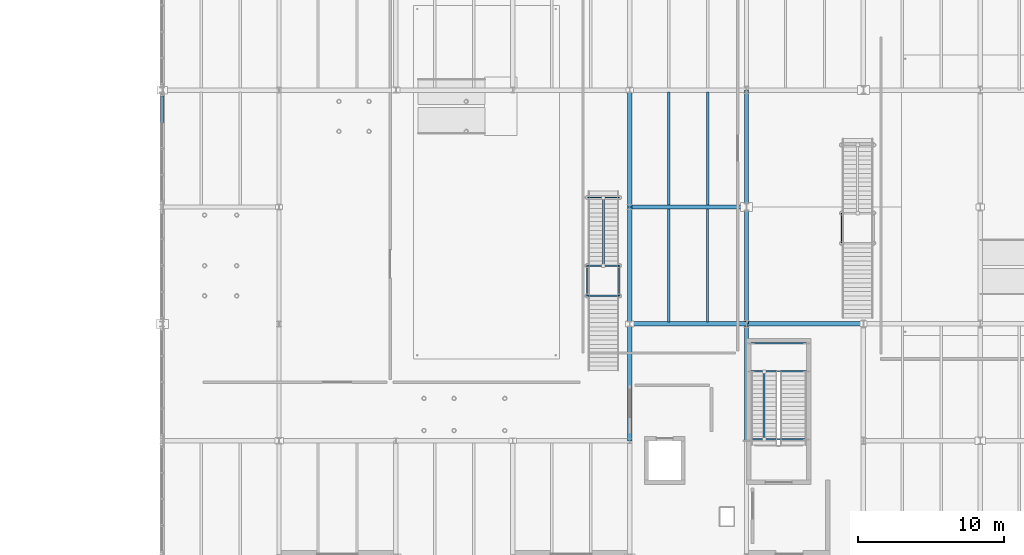
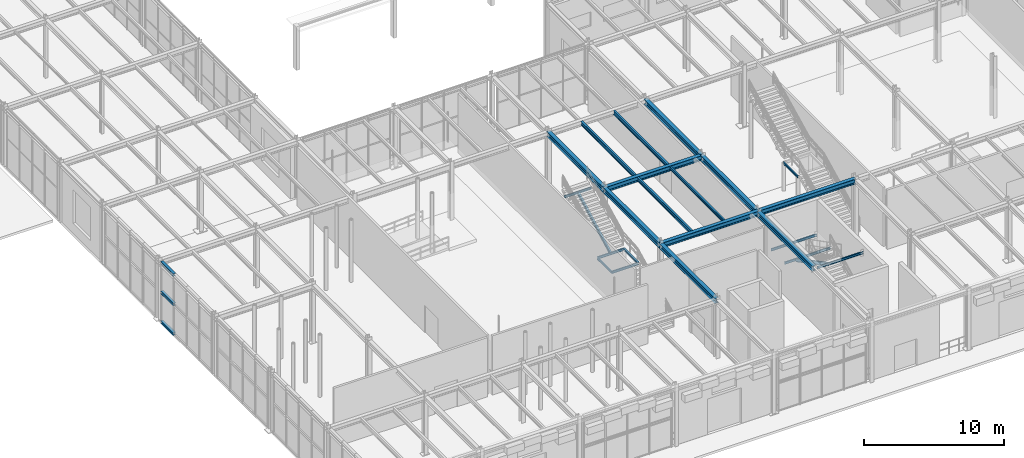
# One storey, part 30 of 129: 22 beams, 5 members, 1 element without a shape of its own.
"""IFC4 building model written with IfcOpenShell, lengths in metres."""

from ifc_helpers import new_model, si_unit, direction, frame, origin, origin_2d, place, context, subcontext, project, spatial, i_section, extrude, material, material_profile, profile_set, type_object, element, aggregate, save


model = new_model("IFC4")

# Units and contexts
model_context = context("Model", 3, precision=1e-05, world=origin(), true_north=direction((0.0, 1.0)))
body_context = subcontext(model_context, "Body", "Model", "MODEL_VIEW")
ifc_project = project(units=[si_unit("LENGTHUNIT", "METRE"), si_unit("AREAUNIT", "SQUARE_METRE"), si_unit("VOLUMEUNIT", "CUBIC_METRE"), si_unit("PLANEANGLEUNIT", "RADIAN"), si_unit("MASSUNIT", "GRAM", prefix="KILO")], contexts=[model_context])

# Site, building, storey
site_placement = place(None, origin())
site = spatial("IfcSite", under=ifc_project, at=site_placement, CompositionType="ELEMENT")
building_placement = place(site_placement, origin())
building = spatial("IfcBuilding", under=site, at=building_placement, Name="Sundkrona Museum", CompositionType="ELEMENT")
storey_placement = place(building_placement, origin())
storey = spatial("IfcBuildingStorey", under=building, at=storey_placement, Name="L00", CompositionType="ELEMENT", Elevation=0.0)

# Beams
ifc_material_1 = material(Name="Steel S355J2", Category="steel")
ifc_material_profile_1 = material_profile(ifc_material_1, i_section(OverallWidth=0.300048828125, OverallDepth=0.43994140625, WebThickness=0.011474609375, FlangeThickness=0.02099609375, FilletRadius=0.027099609375, at=origin_2d()), Name="HEA 450")
ifc_profile_set_1 = profile_set([ifc_material_profile_1], Name="Steel S355J2")
beam_type_1 = type_object("IfcBeamType", Name="B-HEA450", PredefinedType="BEAM", material=ifc_profile_set_1)
for number, where, z_axis, x_axis, name in (
    (1, (112.0, 16.0, 4.919921875), (1.0, 0.0, 0.0), (0.0, 1.0, 0.0), "L00 Girder X-0443"),
    (2, (120.0, 16.0, 4.919921875), (1.0, 0.0, 0.0), (0.0, 1.0, 0.0), "L00 Girder X-0444"),
    (3, (112.0, 24.0, 4.919921875), (1.0, 0.0, 0.0), (0.0, 1.0, 0.0), "L00 Girder X-0451"),
    (4, (112.0, 8.0, 4.919921875), (0.0, 1.0, 0.0), (-1.0, 0.0, 0.0), "L00 Girder Y-0717"),
    (5, (112.0, 16.0, 4.919921875), (0.0, 1.0, 0.0), (-1.0, 0.0, 0.0), "L00 Girder Y-0718"),
    (6, (112.0, 24.0, 4.919921875), (0.0, 1.0, 0.0), (-1.0, 0.0, 0.0), "L00 Girder Y-0719"),
    (7, (120.0, 8.0, 4.919921875), (0.0, 1.0, 0.0), (-1.0, 0.0, 0.0), "L00 Girder Y-0727"),
    (8, (120.0, 16.0, 4.919921875), (0.0, 1.0, 0.0), (-1.0, 0.0, 0.0), "L00 Girder Y-0728"),
    (9, (120.0, 24.0, 4.919921875), (0.0, 1.0, 0.0), (-1.0, 0.0, 0.0), "L00 Girder Y-0729"),
):
    element("IfcBeam", number, at=place(storey_placement, frame(where, z_axis=z_axis, x_axis=x_axis)), inside=storey, type_object=beam_type_1, Name=name, PredefinedType="BEAM", context=body_context, shape_type="SweptSolid", body=[
        extrude(i_section(OverallWidth=0.300048828125, OverallDepth=0.43994140625, WebThickness=0.011474609375, FlangeThickness=0.02099609375, FilletRadius=0.027099609375, at=origin_2d()), origin(), (0.0, 0.0, 1.0), 8.0),
    ])

# Members
ifc_material_profile_2 = material_profile(ifc_material_1, i_section(OverallWidth=0.135009765625, OverallDepth=0.27001953125, WebThickness=0.006591796875, FlangeThickness=0.01025390625, FilletRadius=0.014892578125, at=origin_2d()), Name="IPE 270")
ifc_profile_set_2 = profile_set([ifc_material_profile_2], Name="Steel S355J2")
member_type_1 = type_object("IfcMemberType", Name="BR-IPE270", PredefinedType="BRACE", material=ifc_profile_set_2)
member_1_placement = place(storey_placement, frame((121.199951171875, 12.715087890625, 2.3798828125), z_axis=(0.0, -0.884492571905, 0.466554273632), x_axis=(1.0, 0.0, 0.0)))
element("IfcMember", 10, at=member_1_placement, inside=storey, type_object=member_type_1, Name="SRK-1 L00 ST-2 Flight 2 Inclined Carriage Raker", PredefinedType="BRACE", context=body_context, shape_type="SweptSolid", body=[
    extrude(i_section(OverallWidth=0.135009765625, OverallDepth=0.27001953125, WebThickness=0.006591796875, FlangeThickness=0.01025390625, FilletRadius=0.014892578125, at=origin_2d()), origin(), (0.0, 0.0, 1.0), 5.2177734375),
])
member_2_placement = place(storey_placement, frame((110.199951171875, 19.97998046875, 2.3798828125), z_axis=(0.0, 0.883168320573, 0.469056198698), x_axis=(-1.0, 0.0, 0.0)))
element("IfcMember", 11, at=member_2_placement, inside=storey, type_object=member_type_1, Name="SRK-1 Feature Stair FS-1 Flight 2 Inclined Carriage Raker", PredefinedType="BRACE", context=body_context, shape_type="SweptSolid", body=[
    extrude(i_section(OverallWidth=0.135009765625, OverallDepth=0.27001953125, WebThickness=0.006591796875, FlangeThickness=0.01025390625, FilletRadius=0.014892578125, at=origin_2d()), origin(), (0.0, 0.0, 1.0), 5.28759765625),
])

# Beams
ifc_material_profile_3 = material_profile(ifc_material_1, i_section(OverallWidth=0.10009765625, OverallDepth=0.199951171875, WebThickness=0.005615234375, FlangeThickness=0.008544921875, FilletRadius=0.011962890625, at=origin_2d()), Name="IPE 200")
ifc_profile_set_3 = profile_set([ifc_material_profile_3], Name="Steel S355J2")
beam_type_2 = type_object("IfcBeamType", Name="J-IPE200", PredefinedType="JOIST", material=ifc_profile_set_3)
for number, where, z_axis, x_axis, name in (
    (12, (120.31005859375, 12.754638671875, 2.3798828125), (1.0, 0.0, 0.0), (0.0, 1.0, 0.0), "L00 ST-2 Mid-Landing Trimmer Beam 1A"),
    (13, (120.31005859375, 14.660400390625, 2.3798828125), (1.0, 0.0, 0.0), (0.0, 1.0, 0.0), "L00 ST-2 Mid-Landing Trimmer Beam 1B"),
    (14, (120.31005859375, 8.10009765625, 4.814208984375), (1.0, 0.0, 0.0), (0.0, 1.0, 0.0), "L00 ST-2 Flight 2 Arrival Header Beam"),
):
    element("IfcBeam", number, at=place(storey_placement, frame(where, z_axis=z_axis, x_axis=x_axis)), inside=storey, type_object=beam_type_2, Name=name, PredefinedType="JOIST", context=body_context, shape_type="SweptSolid", body=[
        extrude(i_section(OverallWidth=0.10009765625, OverallDepth=0.199951171875, WebThickness=0.005615234375, FlangeThickness=0.008544921875, FilletRadius=0.011962890625, at=origin_2d()), origin(), (0.0, 0.0, 1.0), 3.780029296875),
    ])
for number, where, z_axis, x_axis, name in (
    (15, (111.300048828125, 17.919921875, 2.3798828125), (-1.0, 0.0, 0.0), (0.0, -1.0, 0.0), "Feature Stair FS-1 S1 Trimmer Beam"),
    (16, (111.300048828125, 19.97998046875, 2.3798828125), (-1.0, 0.0, 0.0), (0.0, -1.0, 0.0), "Feature Stair FS-1 S2 Trimmer Beam"),
    (17, (111.300048828125, 24.64990234375, 4.860107421875), (-1.0, 0.0, 0.0), (0.0, -1.0, 0.0), "Feature Stair FS-1 S3 Trimmer Beam"),
):
    element("IfcBeam", number, at=place(storey_placement, frame(where, z_axis=z_axis, x_axis=x_axis)), inside=storey, type_object=beam_type_2, Name=name, PredefinedType="JOIST", context=body_context, shape_type="SweptSolid", body=[
        extrude(i_section(OverallWidth=0.10009765625, OverallDepth=0.199951171875, WebThickness=0.005615234375, FlangeThickness=0.008544921875, FilletRadius=0.011962890625, at=origin_2d()), origin(), (0.0, 0.0, 1.0), 2.199951171875),
    ])
for number, where, z_axis, x_axis, name in (
    (18, (111.300048828125, 17.919921875, 2.3798828125), (0.0, 1.0, 0.0), (-1.0, 0.0, 0.0), "Feature Stair FS-1 Landing Stringer L"),
    (19, (109.10009765625, 17.919921875, 2.3798828125), (0.0, 1.0, 0.0), (-1.0, 0.0, 0.0), "Feature Stair FS-1 Landing Stringer R"),
    (20, (126.5, 21.52001953125, 2.3798828125), (0.0, 1.0, 0.0), (-1.0, 0.0, 0.0), "Feature Stair FS-5 Landing Stringer R"),
):
    element("IfcBeam", number, at=place(storey_placement, frame(where, z_axis=z_axis, x_axis=x_axis)), inside=storey, type_object=beam_type_2, Name=name, PredefinedType="JOIST", context=body_context, shape_type="SweptSolid", body=[
        extrude(i_section(OverallWidth=0.10009765625, OverallDepth=0.199951171875, WebThickness=0.005615234375, FlangeThickness=0.008544921875, FilletRadius=0.011962890625, at=origin_2d()), origin(), (0.0, 0.0, 1.0), 2.06005859375),
    ])
ifc_material_profile_4 = material_profile(ifc_material_1, i_section(OverallWidth=0.135009765625, OverallDepth=0.27001953125, WebThickness=0.006591796875, FlangeThickness=0.01025390625, FilletRadius=0.014892578125, at=origin_2d()), Name="IPE 270")
ifc_profile_set_4 = profile_set([ifc_material_profile_4], Name="Steel S355J2")
beam_type_3 = type_object("IfcBeamType", Name="J-IPE270", PredefinedType="JOIST", material=ifc_profile_set_4)
beam_placement = place(storey_placement, frame((117.333251953125, 16.14404296875, 5.0048828125), z_axis=(0.0, 1.0, 0.0), x_axis=(-1.0, 0.0, 0.0)))
element("IfcBeam", 21, at=beam_placement, inside=storey, type_object=beam_type_3, Name="L00 Composite Joist 0450", PredefinedType="JOIST", context=body_context, shape_type="SweptSolid", body=[
    extrude(i_section(OverallWidth=0.135009765625, OverallDepth=0.27001953125, WebThickness=0.006591796875, FlangeThickness=0.01025390625, FilletRadius=0.014892578125, at=origin_2d()), origin(), (0.0, 0.0, 1.0), 7.7119140625),
])
ifc_material_profile_5 = material_profile(ifc_material_1, i_section(OverallWidth=0.159912109375, OverallDepth=0.330078125, WebThickness=0.007568359375, FlangeThickness=0.011474609375, FilletRadius=0.01806640625, at=origin_2d()), Name="IPE 330")
ifc_profile_set_5 = profile_set([ifc_material_profile_5], Name="Steel S355J2")
beam_type_4 = type_object("IfcBeamType", Name="J-IPE330", PredefinedType="JOIST", material=ifc_profile_set_5)
for number, where, z_axis, x_axis, name in (
    (22, (114.666748046875, 16.14404296875, 4.97509765625), (0.0, 1.0, 0.0), (-1.0, 0.0, 0.0), "L00 Composite Joist 0449"),
    (23, (114.666748046875, 24.14404296875, 4.97509765625), (0.0, 1.0, 0.0), (-1.0, 0.0, 0.0), "L00 Composite Joist 0451"),
    (24, (117.333251953125, 24.14404296875, 4.97509765625), (0.0, 1.0, 0.0), (-1.0, 0.0, 0.0), "L00 Composite Joist 0452"),
):
    element("IfcBeam", number, at=place(storey_placement, frame(where, z_axis=z_axis, x_axis=x_axis)), inside=storey, type_object=beam_type_4, Name=name, PredefinedType="JOIST", context=body_context, shape_type="SweptSolid", body=[
        extrude(i_section(OverallWidth=0.159912109375, OverallDepth=0.330078125, WebThickness=0.007568359375, FlangeThickness=0.011474609375, FilletRadius=0.01806640625, at=origin_2d()), origin(), (0.0, 0.0, 1.0), 7.7119140625),
    ])

# Curtain wall, members
ifc_material_2 = material(Name="Unitised Aluminium-Steel and Ceramic-Clad Curtain Walling", Category="steel")
curtain_wall_type = type_object("IfcCurtainWallType", Name="CW-AT-72x50", PredefinedType="NOTDEFINED", material=ifc_material_2)
curtain_wall_placement = place(storey_placement, origin())
curtain_wall = element("IfcCurtainWall", 25, at=curtain_wall_placement, inside=storey, type_object=curtain_wall_type, Name="L00 Curtain Wall CW-L00-023", PredefinedType="NOTDEFINED")
ifc_material_profile_6 = material_profile(ifc_material_1, i_section(OverallWidth=0.219970703125, OverallDepth=0.219970703125, WebThickness=0.009521484375, FlangeThickness=0.01611328125, FilletRadius=0.01806640625, at=origin_2d()), Name="HEB 220")
ifc_profile_set_6 = profile_set([ifc_material_profile_6], Name="Steel S355J2")
member_type_2 = type_object("IfcMemberType", Name="TR-HEB220", PredefinedType="USERDEFINED", material=ifc_profile_set_6)
member_3_placement = place(storey_placement, frame((80.0, 29.800048828125, -0.00390625), z_axis=(0.0, 1.0, 0.0), x_axis=(-1.0, 0.0, 0.0)))
member_3 = element("IfcMember", 26, at=member_3_placement, type_object=member_type_2, Name="CW-L00-023 Transom 10", ObjectType="TRANSOM", PredefinedType="USERDEFINED", context=body_context, shape_type="SweptSolid", body=[
    extrude(i_section(OverallWidth=0.219970703125, OverallDepth=0.219970703125, WebThickness=0.009521484375, FlangeThickness=0.01611328125, FilletRadius=0.01806640625, at=origin_2d()), origin(), (0.0, 0.0, 1.0), 1.800048828125),
])
member_4_placement = place(storey_placement, frame((80.0, 29.800048828125, 2.570068359375), z_axis=(0.0, 1.0, 0.0), x_axis=(-1.0, 0.0, 0.0)))
member_4 = element("IfcMember", 27, at=member_4_placement, type_object=member_type_2, Name="CW-L00-023 Transom 11", ObjectType="TRANSOM", PredefinedType="USERDEFINED", context=body_context, shape_type="SweptSolid", body=[
    extrude(i_section(OverallWidth=0.219970703125, OverallDepth=0.219970703125, WebThickness=0.009521484375, FlangeThickness=0.01611328125, FilletRadius=0.01806640625, at=origin_2d()), origin(), (0.0, 0.0, 1.0), 1.800048828125),
])
member_5_placement = place(storey_placement, frame((80.0, 29.800048828125, 5.14404296875), z_axis=(0.0, 1.0, 0.0), x_axis=(-1.0, 0.0, 0.0)))
member_5 = element("IfcMember", 28, at=member_5_placement, type_object=member_type_2, Name="CW-L00-023 Transom 12", ObjectType="TRANSOM", PredefinedType="USERDEFINED", context=body_context, shape_type="SweptSolid", body=[
    extrude(i_section(OverallWidth=0.219970703125, OverallDepth=0.219970703125, WebThickness=0.009521484375, FlangeThickness=0.01611328125, FilletRadius=0.01806640625, at=origin_2d()), origin(), (0.0, 0.0, 1.0), 1.800048828125),
])
aggregate(curtain_wall, [member_3, member_4, member_5])

save(model, "model.ifc")
